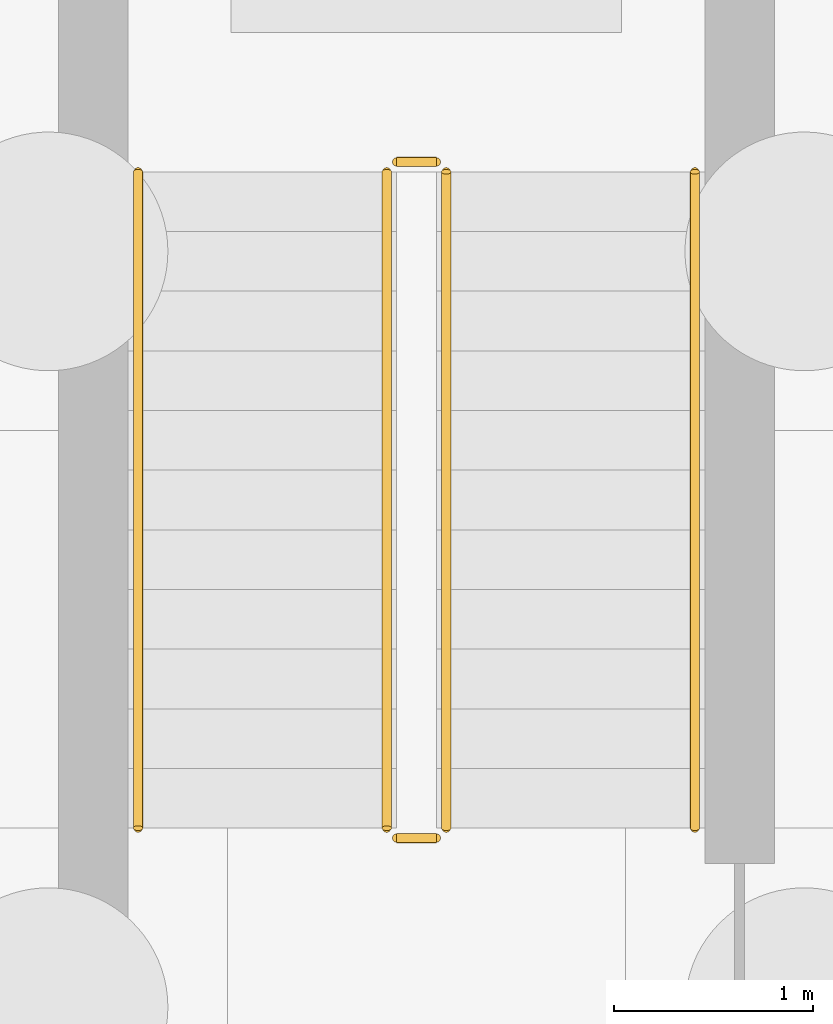
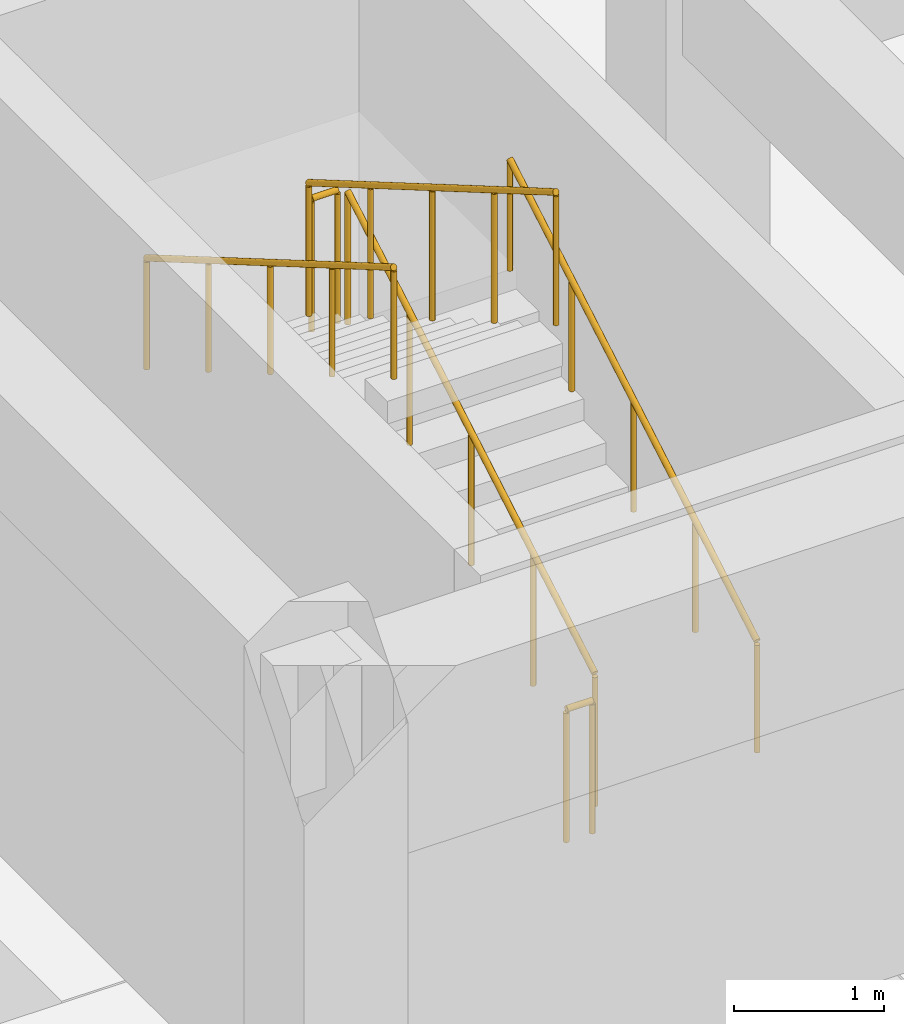
# One storey, part 55 of 58: 6 railings.
"""IFC4 building model written with IfcOpenShell, lengths in metres."""

from ifc_helpers import new_model, si_unit, direction, frame, origin, origin_2d, place, context, subcontext, project, spatial, circle, extrude, material, type_object, element, save


model = new_model("IFC4")

# Units and contexts
model_context = context("Model", 3, precision=1e-05, world=origin(), true_north=direction((0.0, 1.0)))
body_context = subcontext(model_context, "Body", "Model", "MODEL_VIEW")
ifc_project = project(units=[si_unit("LENGTHUNIT", "METRE"), si_unit("AREAUNIT", "SQUARE_METRE"), si_unit("VOLUMEUNIT", "CUBIC_METRE"), si_unit("PLANEANGLEUNIT", "RADIAN"), si_unit("MASSUNIT", "GRAM", prefix="KILO")], contexts=[model_context])

# Site, building, storey
site_placement = place(None, origin())
site = spatial("IfcSite", under=ifc_project, at=site_placement, CompositionType="ELEMENT")
building_placement = place(site_placement, origin())
building = spatial("IfcBuilding", under=site, at=building_placement, Name="Karori Crest Natural Sciences Institute", CompositionType="ELEMENT")
storey_placement = place(building_placement, frame((0.0, 0.0, -4.199951171875)))
storey = spatial("IfcBuildingStorey", under=building, at=storey_placement, Name="B1", CompositionType="ELEMENT", Elevation=-4.199951171875)

# Railings
ifc_material_1 = material(Name="Stainless steel 316 tubular handrail", Category="steel")
railing_type_1 = type_object("IfcRailingType", Name="RLT-HND", PredefinedType="HANDRAIL", material=ifc_material_1)
railing_1_placement = place(storey_placement, frame((12.050048828125, 97.300048828125, 0.175048828125)))
element("IfcRailing", 1, at=railing_1_placement, inside=storey, type_object=railing_type_1, Name="Stair handrail RL-0231", PredefinedType="HANDRAIL", context=body_context, shape_type="SweptSolid", body=[
    extrude(circle(Radius=0.02392578125, at=origin_2d()), frame((0.0, 0.0, 0.90087890625), z_axis=(0.0, 0.863804395585, 0.503827317807), x_axis=(-1.0, 0.0, 0.0)), (0.0, 0.0, 1.0), 3.8203125),
    extrude(circle(Radius=0.02099609375, at=origin_2d()), origin(), (0.0, 0.0, 1.0), 0.876953125),
    extrude(circle(Radius=0.02099609375, at=origin_2d()), frame((0.0, 0.824951171875, 0.481201171875)), (0.0, 0.0, 1.0), 0.876953125),
    extrude(circle(Radius=0.02099609375, at=origin_2d()), frame((0.0, 1.64990234375, 0.96240234375)), (0.0, 0.0, 1.0), 0.876953125),
    extrude(circle(Radius=0.02099609375, at=origin_2d()), frame((0.0, 2.47509765625, 1.443603515625)), (0.0, 0.0, 1.0), 0.876953125),
    extrude(circle(Radius=0.02099609375, at=origin_2d()), frame((0.0, 3.300048828125, 1.9248046875)), (0.0, 0.0, 1.0), 0.876953125),
])
railing_2_placement = place(storey_placement, frame((9.25, 100.60009765625, 2.27490234375)))
element("IfcRailing", 2, at=railing_2_placement, inside=storey, type_object=railing_type_1, Name="Stair handrail RL-0232", PredefinedType="HANDRAIL", context=body_context, shape_type="SweptSolid", body=[
    extrude(circle(Radius=0.02392578125, at=origin_2d()), frame((0.0, 0.0, 0.90087890625), z_axis=(0.0, -0.863776583165, 0.503874998761), x_axis=(1.0, 0.0, 0.0)), (0.0, 0.0, 1.0), 3.820556640625),
    extrude(circle(Radius=0.02099609375, at=origin_2d()), origin(), (0.0, 0.0, 1.0), 0.876953125),
    extrude(circle(Radius=0.02099609375, at=origin_2d()), frame((0.0, -0.824951171875, 0.481201171875)), (0.0, 0.0, 1.0), 0.876953125),
    extrude(circle(Radius=0.02099609375, at=origin_2d()), frame((0.0, -1.64990234375, 0.96240234375)), (0.0, 0.0, 1.0), 0.876953125),
    extrude(circle(Radius=0.02099609375, at=origin_2d()), frame((0.0, -2.47509765625, 1.44384765625)), (0.0, 0.0, 1.0), 0.876953125),
    extrude(circle(Radius=0.02099609375, at=origin_2d()), frame((0.0, -3.300048828125, 1.925048828125)), (0.0, 0.0, 1.0), 0.876953125),
])
ifc_material_2 = material(Name="Stainless steel 316 stair guard", Category="steel")
railing_type_2 = type_object("IfcRailingType", Name="RLT-STG", PredefinedType="GUARDRAIL", material=ifc_material_2)
railing_3_placement = place(storey_placement, frame((10.800048828125, 97.300048828125, 0.175048828125)))
element("IfcRailing", 3, at=railing_3_placement, inside=storey, type_object=railing_type_2, Name="Stair guard RL-0227", PredefinedType="GUARDRAIL", context=body_context, shape_type="SweptSolid", body=[
    extrude(circle(Radius=0.02392578125, at=origin_2d()), frame((0.0, 0.0, 1.076171875), z_axis=(0.0, 0.863804395585, 0.503827317807), x_axis=(-1.0, 0.0, 0.0)), (0.0, 0.0, 1.0), 3.8203125),
    extrude(circle(Radius=0.02099609375, at=origin_2d()), origin(), (0.0, 0.0, 1.0), 1.052001953125),
    extrude(circle(Radius=0.02099609375, at=origin_2d()), frame((0.0, 0.824951171875, 0.481201171875)), (0.0, 0.0, 1.0), 1.052001953125),
    extrude(circle(Radius=0.02099609375, at=origin_2d()), frame((0.0, 1.64990234375, 0.96240234375)), (0.0, 0.0, 1.0), 1.052001953125),
    extrude(circle(Radius=0.02099609375, at=origin_2d()), frame((0.0, 2.47509765625, 1.443603515625)), (0.0, 0.0, 1.0), 1.052001953125),
    extrude(circle(Radius=0.02099609375, at=origin_2d()), frame((0.0, 3.300048828125, 1.9248046875)), (0.0, 0.0, 1.0), 1.052001953125),
])
railing_4_placement = place(storey_placement, frame((10.75, 100.64990234375, 2.099853515625)))
element("IfcRailing", 4, at=railing_4_placement, inside=storey, type_object=railing_type_2, Name="Stair guard RL-0228", PredefinedType="GUARDRAIL", context=body_context, shape_type="SweptSolid", body=[
    extrude(circle(Radius=0.02392578125, at=origin_2d()), frame((0.0, 0.0, 1.076171875), z_axis=(-1.0, 0.0, 0.0), x_axis=(0.0, -1.0, 0.0)), (0.0, 0.0, 1.0), 0.199951171875),
    extrude(circle(Radius=0.02099609375, at=origin_2d()), origin(), (0.0, 0.0, 1.0), 1.052001953125),
    extrude(circle(Radius=0.02099609375, at=origin_2d()), frame((-0.199951171875, 0.0, 0.0)), (0.0, 0.0, 1.0), 1.052001953125),
])
railing_5_placement = place(storey_placement, frame((10.5, 100.60009765625, 2.27490234375)))
element("IfcRailing", 5, at=railing_5_placement, inside=storey, type_object=railing_type_2, Name="Stair guard RL-0229", PredefinedType="GUARDRAIL", context=body_context, shape_type="SweptSolid", body=[
    extrude(circle(Radius=0.02392578125, at=origin_2d()), frame((0.0, 0.0, 1.076171875), z_axis=(0.0, -0.863776583165, 0.503874998761), x_axis=(1.0, 0.0, 0.0)), (0.0, 0.0, 1.0), 3.820556640625),
    extrude(circle(Radius=0.02099609375, at=origin_2d()), origin(), (0.0, 0.0, 1.0), 1.052001953125),
    extrude(circle(Radius=0.02099609375, at=origin_2d()), frame((0.0, -0.824951171875, 0.481201171875)), (0.0, 0.0, 1.0), 1.052001953125),
    extrude(circle(Radius=0.02099609375, at=origin_2d()), frame((0.0, -1.64990234375, 0.96240234375)), (0.0, 0.0, 1.0), 1.052001953125),
    extrude(circle(Radius=0.02099609375, at=origin_2d()), frame((0.0, -2.47509765625, 1.44384765625)), (0.0, 0.0, 1.0), 1.052001953125),
    extrude(circle(Radius=0.02099609375, at=origin_2d()), frame((0.0, -3.300048828125, 1.925048828125)), (0.0, 0.0, 1.0), 1.052001953125),
])
railing_6_placement = place(storey_placement, frame((10.75, 97.25, 0.0)))
element("IfcRailing", 6, at=railing_6_placement, inside=storey, type_object=railing_type_2, Name="Stair guard RL-0230", PredefinedType="GUARDRAIL", context=body_context, shape_type="SweptSolid", body=[
    extrude(circle(Radius=0.02392578125, at=origin_2d()), frame((0.0, 0.0, 1.076171875), z_axis=(-1.0, 0.0, 0.0), x_axis=(0.0, -1.0, 0.0)), (0.0, 0.0, 1.0), 0.199951171875),
    extrude(circle(Radius=0.02099609375, at=origin_2d()), origin(), (0.0, 0.0, 1.0), 1.052001953125),
    extrude(circle(Radius=0.02099609375, at=origin_2d()), frame((-0.199951171875, 0.0, 0.0)), (0.0, 0.0, 1.0), 1.052001953125),
])

save(model, "model.ifc")
